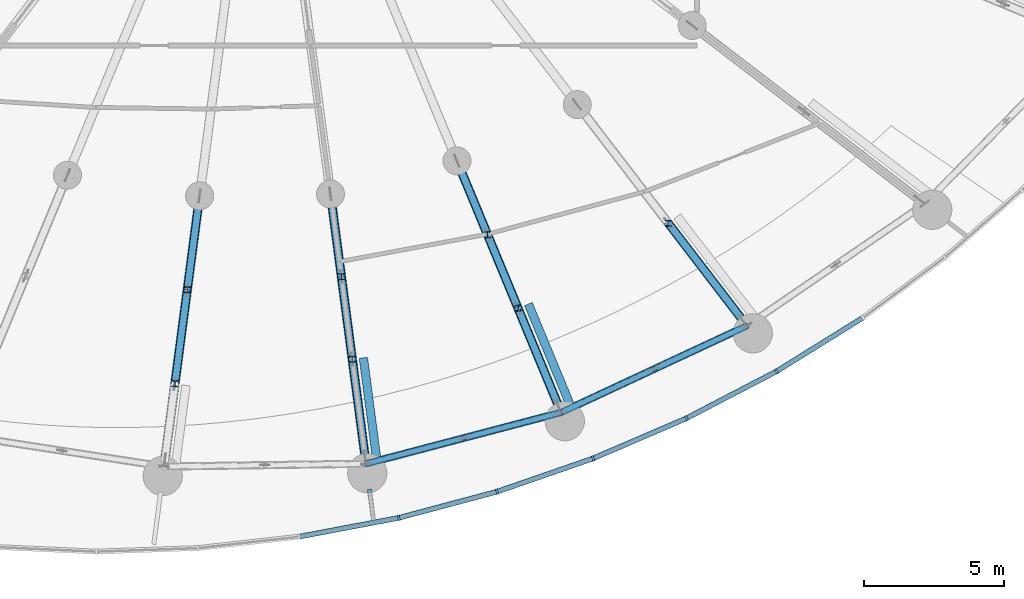
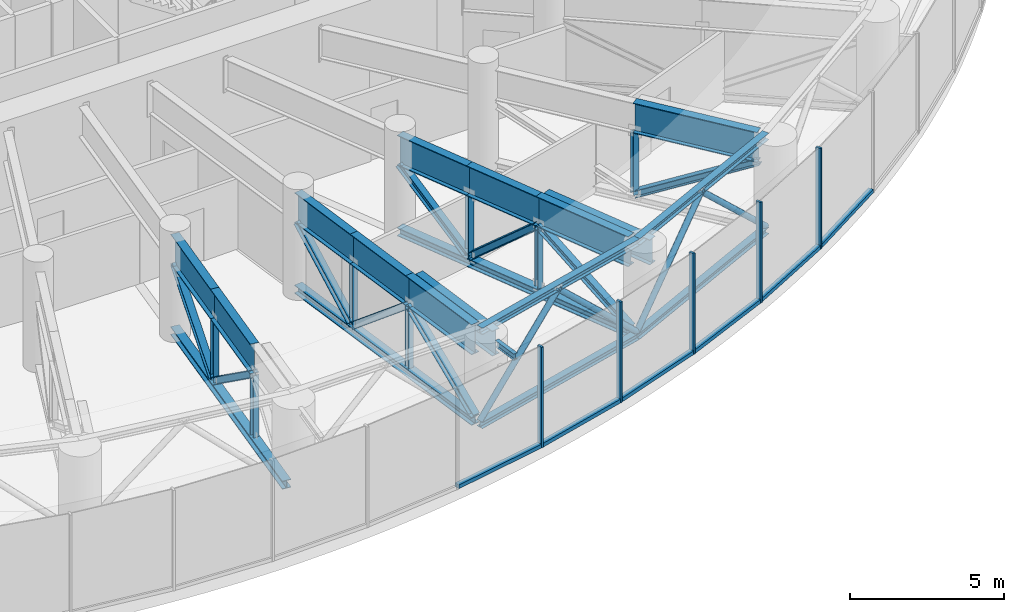
# One storey, part 6 of 42: 38 members, 12 beams, 1 element without a shape of its own.
"""IFC4 building model written with IfcOpenShell, lengths in metres."""

import ifcopenshell
import ifcopenshell.guid

model = None  # the IFC model being written
_history = None  # IfcOwnerHistory: only IFC2X3 demands one
_inside = {}  # id of a spatial element -> (the spatial element, [elements in it])
_under = {}  # id of a project, library or spatial element -> (it, [spatial elements below it])
_declared = {}  # id of a project -> (the project, [libraries it declares])
_typed = {}  # id of a type object -> (the type object, [elements of that type])
_made_of = {}  # id of a material, layer set ... -> (it, [elements and type objects made of it])


def new_model(schema):
    """Start an empty IFC model of exactly this schema.

    Asked for "IFC4X3", IfcOpenShell would pick the latest addendum, in which some entities
    have other attributes; the version numbers below select the first issue.
    IFC2X3 requires an IfcOwnerHistory on every rooted entity: one is made here for all.
    """
    global model, _history
    if schema == "IFC4X3":
        model = ifcopenshell.file(schema_version=(4, 3, 0, 0))
    else:
        model = ifcopenshell.file(schema=schema)
    _inside.clear()
    _under.clear()
    _declared.clear()
    _typed.clear()
    _made_of.clear()
    _history = None
    if model.schema == "IFC2X3":
        org = make("IfcOrganization", Name="unknown")
        user = make(
            "IfcPersonAndOrganization",
            ThePerson=make("IfcPerson", FamilyName="unknown"),
            TheOrganization=org,
        )
        app = make(
            "IfcApplication",
            ApplicationDeveloper=org,
            Version="unknown",
            ApplicationFullName="unknown",
            ApplicationIdentifier="unknown",
        )
        _history = make(
            "IfcOwnerHistory",
            OwningUser=user,
            OwningApplication=app,
            ChangeAction="ADDED",
            CreationDate=0,
        )
    return model


def make(cls, **values):
    """One entity of the class cls with the attributes given. An attribute that is None is left unset."""
    return model.create_entity(
        cls, **{name: value for name, value in values.items() if value is not None}
    )


def rooted(cls, **values):
    """An entity with a GlobalId (a new one), such as an element, a storey or a relation."""
    return make(cls, GlobalId=ifcopenshell.guid.new(), OwnerHistory=_history, **values)


def si_unit(unit_type, name, prefix=None):
    """IfcSIUnit, for example si_unit("LENGTHUNIT", "METRE", prefix="MILLI")."""
    return make("IfcSIUnit", UnitType=unit_type, Prefix=prefix, Name=name)


def assignment(units):
    """IfcUnitAssignment: the units of a project."""
    return None if units is None else make("IfcUnitAssignment", Units=units)


def point(xyz):
    """IfcCartesianPoint."""
    return None if xyz is None else make("IfcCartesianPoint", Coordinates=xyz)


def direction(xyz):
    """IfcDirection."""
    return None if xyz is None else make("IfcDirection", DirectionRatios=xyz)


def frame(location, z_axis=None, x_axis=None):
    """IfcAxis2Placement3D, a coordinate frame: its origin and axes. An axis left out is left unset."""
    return make(
        "IfcAxis2Placement3D",
        Location=point(location),
        Axis=direction(z_axis),
        RefDirection=direction(x_axis),
    )


def frame_2d(location, x_axis=None):
    """IfcAxis2Placement2D, a coordinate frame in the plane: its origin and x axis."""
    return make(
        "IfcAxis2Placement2D", Location=point(location), RefDirection=direction(x_axis)
    )


def origin():
    """The frame at (0, 0, 0) with its axes left unset."""
    return frame((0.0, 0.0, 0.0))


def origin_2d():
    """The frame at (0, 0) in the plane with its x axis left unset."""
    return frame_2d((0.0, 0.0))


def place(relative_to, where):
    """IfcLocalPlacement: puts the frame where relative to a parent placement (None: the world)."""
    return make(
        "IfcLocalPlacement", PlacementRelTo=relative_to, RelativePlacement=where
    )


def context(
    kind, dimensions, precision=None, world=None, true_north=None, identifier=None
):
    """IfcGeometricRepresentationContext, for example the 3D "Model" context."""
    return make(
        "IfcGeometricRepresentationContext",
        ContextIdentifier=identifier,
        ContextType=kind,
        CoordinateSpaceDimension=dimensions,
        Precision=precision,
        WorldCoordinateSystem=world,
        TrueNorth=true_north,
    )


def subcontext(parent, identifier, kind, view, scale=None):
    """IfcGeometricRepresentationSubContext, for example "Body" below "Model"."""
    return make(
        "IfcGeometricRepresentationSubContext",
        ContextIdentifier=identifier,
        ContextType=kind,
        ParentContext=parent,
        TargetScale=scale,
        TargetView=view,
    )


def project(units=None, contexts=None):
    """IfcProject with its units and contexts."""
    return rooted(
        "IfcProject",
        Name="project",
        RepresentationContexts=contexts,
        UnitsInContext=assignment(units),
    )


def spatial(cls, under=None, at=None, **own):
    """A site, building, storey or space (cls), placed at a placement, below another one or the project."""
    s = rooted(cls, ObjectPlacement=at, **own)
    if under is not None:
        _under.setdefault(under.id(), (under, []))[1].append(s)
    return s


def profile(cls, at=None, kind="AREA", **sizes):
    """A parametric profile (cls). Its sizes go by their IFC names, for example OverallWidth=200.0."""
    return make(cls, ProfileType=kind, Position=at, **sizes)


def rectangle(**sizes):
    """IfcRectangleProfileDef."""
    return profile("IfcRectangleProfileDef", **sizes)


def hollow_circle(**sizes):
    """IfcCircleHollowProfileDef."""
    return profile("IfcCircleHollowProfileDef", **sizes)


def i_section(**sizes):
    """IfcIShapeProfileDef."""
    return profile("IfcIShapeProfileDef", **sizes)


def extrude(swept, where, along, depth):
    """IfcExtrudedAreaSolid: the profile swept, set in the frame where, extruded along a direction by depth."""
    return make(
        "IfcExtrudedAreaSolid",
        SweptArea=swept,
        Position=where,
        ExtrudedDirection=direction(along),
        Depth=depth,
    )


def shape(context_of_items, identifier, shape_type, items):
    """IfcShapeRepresentation: the items that make up one representation, for example the "Body"."""
    return make(
        "IfcShapeRepresentation",
        ContextOfItems=context_of_items,
        RepresentationIdentifier=identifier,
        RepresentationType=shape_type,
        Items=items,
    )


def source(mapping_origin, context_of_items, identifier, shape_type, items):
    """IfcRepresentationMap: a shape defined once, which mapped items show again and again."""
    return make(
        "IfcRepresentationMap",
        MappingOrigin=mapping_origin,
        MappedRepresentation=shape(context_of_items, identifier, shape_type, items),
    )


def transform(
    local_origin,
    x_axis=None,
    y_axis=None,
    z_axis=None,
    scale=None,
    scale2=None,
    scale3=None,
    uniform=True,
):
    """IfcCartesianTransformationOperator3D, or its non-uniform kind. x_axis, y_axis, z_axis: its Axis1, 2, 3."""
    if uniform:
        return make(
            "IfcCartesianTransformationOperator3D",
            Axis1=direction(x_axis),
            Axis2=direction(y_axis),
            LocalOrigin=point(local_origin),
            Scale=scale,
            Axis3=direction(z_axis),
        )
    return make(
        "IfcCartesianTransformationOperator3DnonUniform",
        Axis1=direction(x_axis),
        Axis2=direction(y_axis),
        LocalOrigin=point(local_origin),
        Scale=scale,
        Axis3=direction(z_axis),
        Scale2=scale2,
        Scale3=scale3,
    )


def mapped(mapping_source, mapping_target):
    """IfcMappedItem: shows the shape of a source again, moved by a transform."""
    return make(
        "IfcMappedItem", MappingSource=mapping_source, MappingTarget=mapping_target
    )


def material(Name=None, Category=None):
    """IfcMaterial."""
    return make("IfcMaterial", Name=Name, Category=Category)


def layer(
    of_material, thickness, ventilated=None, Name=None, Category=None, Priority=None
):
    """IfcMaterialLayer: one layer of a wall or slab, of a material (None: an air gap)."""
    return make(
        "IfcMaterialLayer",
        Material=of_material,
        LayerThickness=thickness,
        IsVentilated=ventilated,
        Name=Name,
        Category=Category,
        Priority=Priority,
    )


def layer_set(layers, Name=None):
    """IfcMaterialLayerSet."""
    return make("IfcMaterialLayerSet", MaterialLayers=layers, LayerSetName=Name)


def material_profile(
    of_material, cross_section, Name=None, Category=None, Priority=None
):
    """IfcMaterialProfile: a cross section and its material."""
    return make(
        "IfcMaterialProfile",
        Name=Name,
        Material=of_material,
        Profile=cross_section,
        Priority=Priority,
        Category=Category,
    )


def profile_set(profiles, Name=None, composite=None):
    """IfcMaterialProfileSet."""
    return make(
        "IfcMaterialProfileSet",
        Name=Name,
        MaterialProfiles=profiles,
        CompositeProfile=composite,
    )


def made_of(thing, what):
    """Note that an element or type object is made of a material, layer set ...; save() writes the relation."""
    if what is not None:
        _made_of.setdefault(what.id(), (what, []))[1].append(thing)
    return thing


def type_object(cls, material=None, **own):
    """A type object (cls), such as IfcWallType, which elements share."""
    return made_of(rooted(cls, **own), material)


def element(
    cls,
    number,
    at=None,
    inside=None,
    cuts=None,
    type_object=None,
    material=None,
    context=None,
    identifier="Body",
    shape_type=None,
    held_by="IfcProductDefinitionShape",
    body=None,
    shapes=None,
    **own,
):
    """One element of the class cls, such as IfcWall. Its Tag is "e" and its number.

    at: its placement. inside: the storey or other place that contains it. cuts: it is an
    opening in that element (IfcRelVoidsElement). A single representation is given by context,
    identifier, shape_type and body (its items); several are given by shapes. held_by: the class
    of the entity that holds the representations. save() writes the other relations.
    """
    e = rooted(cls, Tag="e%d" % number, ObjectPlacement=at, **own)
    if body is not None:
        shapes = [shape(context, identifier, shape_type, body)]
    if shapes is not None:
        e.Representation = make(held_by, Representations=shapes)
    if inside is not None:
        _inside.setdefault(inside.id(), (inside, []))[1].append(e)
    if cuts is not None:
        rooted(
            "IfcRelVoidsElement", RelatingBuildingElement=cuts, RelatedOpeningElement=e
        )
    if type_object is not None:
        _typed.setdefault(type_object.id(), (type_object, []))[1].append(e)
    return made_of(e, material)


def aggregate(whole, parts):
    """IfcRelAggregates: a whole, such as a stair, and the parts it consists of."""
    return rooted("IfcRelAggregates", RelatingObject=whole, RelatedObjects=parts)


def save(model, path):
    """Write the relations noted so far, then the file.

    IfcRelAggregates (storeys below a building ...), IfcRelContainedInSpatialStructure (elements
    in a storey), IfcRelDefinesByType, IfcRelAssociatesMaterial and IfcRelDeclares: one each for
    every whole, place, type object, material and project.
    """
    for whole, parts in _under.values():
        aggregate(whole, parts)
    for where, things in _inside.values():
        rooted(
            "IfcRelContainedInSpatialStructure",
            RelatedElements=things,
            RelatingStructure=where,
        )
    for kind, things in _typed.values():
        rooted("IfcRelDefinesByType", RelatedObjects=things, RelatingType=kind)
    for what, things in _made_of.values():
        rooted("IfcRelAssociatesMaterial", RelatedObjects=things, RelatingMaterial=what)
    for by, libraries in _declared.values():
        rooted("IfcRelDeclares", RelatingContext=by, RelatedDefinitions=libraries)
    model.write(path)


model = new_model("IFC4")

# Units and contexts
model_context = context("Model", 3, precision=1e-05, world=origin(), true_north=direction((0.0, 1.0)))
body_context = subcontext(model_context, "Body", "Model", "MODEL_VIEW")
ifc_project = project(units=[si_unit("LENGTHUNIT", "METRE"), si_unit("AREAUNIT", "SQUARE_METRE"), si_unit("VOLUMEUNIT", "CUBIC_METRE"), si_unit("PLANEANGLEUNIT", "RADIAN"), si_unit("MASSUNIT", "GRAM", prefix="KILO")], contexts=[model_context])

# Site, building, storey
site_placement = place(None, origin())
site = spatial("IfcSite", under=ifc_project, at=site_placement, CompositionType="ELEMENT")
building_placement = place(site_placement, origin())
building = spatial("IfcBuilding", under=site, at=building_placement, Name="Spindrift Exchange Tower", CompositionType="ELEMENT")
storey_placement = place(building_placement, frame((0.0, 0.0, 75.39990234375)))
storey = spatial("IfcBuildingStorey", under=building, at=storey_placement, Name="L17", CompositionType="ELEMENT", Elevation=75.39990234375)

# Beam
ifc_material_1 = material(Name="Steel Grade 300", Category="steel")
ifc_material_profile_1 = material_profile(ifc_material_1, i_section(OverallWidth=0.14599609375, OverallDepth=0.251953125, WebThickness=0.006103515625, FlangeThickness=0.008544921875, FilletRadius=0.011962890625, at=origin_2d()), Name="250UB31.4")
ifc_profile_set_1 = profile_set([ifc_material_profile_1], Name="Steel Grade 300")
beam_type_1 = type_object("IfcBeamType", Name="Cantilever Beam 250UB31.4 Steel Grade 300", PredefinedType="BEAM", material=ifc_profile_set_1)
shared_shape_1 = source(origin(), body_context, "Body", "SweptSolid", [
    extrude(i_section(OverallWidth=0.14599609375, OverallDepth=0.251953125, WebThickness=0.006103515625, FlangeThickness=0.008544921875, FilletRadius=0.011962890625, at=origin_2d()), origin(), (0.0, 0.0, 1.0), 0.993408203125),
])
beam_1_placement = place(storey_placement, frame((55.71728515625, 19.763671875, 3.8740234375), z_axis=(0.130505373489, -0.991447601989, 0.0), x_axis=(0.991447601989, 0.130505373489, 0.0)))
element("IfcBeam", 1, at=beam_1_placement, inside=storey, type_object=beam_type_1, Name="L17 cantilever beam R19T", PredefinedType="BEAM", context=body_context, shape_type="MappedRepresentation", body=[
    mapped(shared_shape_1, transform((0.0, 0.0, 0.0), scale=1.0)),
])

# Members
ifc_material_profile_2 = material_profile(ifc_material_1, i_section(OverallWidth=0.205078125, OverallDepth=0.2099609375, WebThickness=0.00927734375, FlangeThickness=0.01416015625, FilletRadius=0.012939453125, at=origin_2d()), Name="200UC59.5")
ifc_profile_set_2 = profile_set([ifc_material_profile_2], Name="Steel Grade 300")
member_type_1 = type_object("IfcMemberType", Name="Outrigger Truss Post 200UC59.5 Steel Grade 300", PredefinedType="POST", material=ifc_profile_set_2)
shared_shape_2 = source(origin(), body_context, "Body", "SweptSolid", [
    extrude(i_section(OverallWidth=0.205078125, OverallDepth=0.2099609375, WebThickness=0.00927734375, FlangeThickness=0.01416015625, FilletRadius=0.012939453125, at=origin_2d()), origin(), (0.0, 0.0, 1.0), 2.472900390625),
])
for number, where, z_axis, x_axis, name in (
    (2, (49.21923828125, 26.8779296875, 0.3271484375), (0.0, 0.0, 1.0), (1.0, 0.0, 0.0), "L17 outrigger truss 18 post 2"),
    (3, (48.777587890625, 23.523193359375, 0.3271484375), (0.0, 0.0, 1.0), (1.0, 0.0, 0.0), "L17 outrigger truss 18 post 3"),
    (4, (54.718505859375, 27.3505859375, 0.3271484375), (0.0, 0.0, 1.0), (1.0, 0.0, 0.0), "L17 outrigger truss 19 post 2"),
    (5, (55.1064453125, 24.404541015625, 0.3271484375), (0.0, 0.0, 1.0), (1.0, 0.0, 0.0), "L17 outrigger truss 19 post 3"),
    (6, (59.931884765625, 28.85107421875, 0.3271484375), (0.0, 0.0, 1.0), (1.0, 0.0, 0.0), "L17 outrigger truss 20 post 2"),
    (7, (61.021728515625, 26.219482421875, 0.3271484375), (0.0, 0.0, 1.0), (1.0, 0.0, 0.0), "L17 outrigger truss 20 post 3"),
    (8, (66.382080078125, 29.257080078125, 0.3271484375), (0.0, 0.0, 1.0), (1.0, 0.0, 0.0), "L17 outrigger truss 21 post 2"),
):
    element("IfcMember", number, at=place(storey_placement, frame(where, z_axis=z_axis, x_axis=x_axis)), inside=storey, type_object=member_type_1, Name=name, PredefinedType="POST", context=body_context, shape_type="MappedRepresentation", body=[
        mapped(shared_shape_2, transform((0.0, 0.0, 0.0), scale=1.0)),
    ])

# Beams
ifc_material_profile_3 = material_profile(ifc_material_1, i_section(OverallWidth=0.300048828125, OverallDepth=1.199951171875, WebThickness=0.011962890625, FlangeThickness=0.028076171875, at=origin_2d()), Name="1200WB249")
ifc_profile_set_3 = profile_set([ifc_material_profile_3], Name="Steel Grade 300")
beam_type_2 = type_object("IfcBeamType", Name="Outrigger Truss Transfer Girder 1200WB249 Steel Grade 300", PredefinedType="BEAM", material=ifc_profile_set_3)
shared_shape_3 = source(origin(), body_context, "Body", "SweptSolid", [
    extrude(i_section(OverallWidth=0.300048828125, OverallDepth=1.199951171875, WebThickness=0.011962890625, FlangeThickness=0.028076171875, at=origin_2d()), origin(), (0.0, 0.0, 1.0), 3.3837890625),
])
for number, where, z_axis, x_axis, name in (
    (9, (49.660888671875, 30.232666015625, 3.400146484375), (-0.13052357024, -0.991445206561, 0.0), (0.991445206561, -0.13052357024, 0.0), "L17 outrigger truss 18 top chord 2"),
    (10, (49.21923828125, 26.8779296875, 3.400146484375), (-0.13052357024, -0.991445206561, 0.0), (0.991445206561, -0.13052357024, 0.0), "L17 outrigger truss 18 top chord 3"),
):
    element("IfcBeam", number, at=place(storey_placement, frame(where, z_axis=z_axis, x_axis=x_axis)), inside=storey, type_object=beam_type_2, Name=name, PredefinedType="BEAM", context=body_context, shape_type="MappedRepresentation", body=[
        mapped(shared_shape_3, transform((0.0, 0.0, 0.0), scale=1.0)),
    ])

# Members
ifc_material_profile_4 = material_profile(ifc_material_1, i_section(OverallWidth=0.31103515625, OverallDepth=0.326904296875, WebThickness=0.015625, FlangeThickness=0.02490234375, FilletRadius=0.0166015625, at=origin_2d()), Name="310UC158")
ifc_profile_set_4 = profile_set([ifc_material_profile_4], Name="Steel Grade 300")
member_type_2 = type_object("IfcMemberType", Name="Outrigger Truss Chord 310UC158 Steel Grade 300", PredefinedType="CHORD", material=ifc_profile_set_4)
shared_shape_4 = source(origin(), body_context, "Body", "SweptSolid", [
    extrude(i_section(OverallWidth=0.31103515625, OverallDepth=0.326904296875, WebThickness=0.015625, FlangeThickness=0.02490234375, FilletRadius=0.0166015625, at=origin_2d()), origin(), (0.0, 0.0, 1.0), 9.500244140625),
])
member_1_placement = place(storey_placement, frame((49.660888671875, 30.232666015625, 0.16357421875), z_axis=(-0.130522318331, -0.991445371373, 0.0), x_axis=(0.991445371373, -0.130522318331, 0.0)))
element("IfcMember", 11, at=member_1_placement, inside=storey, type_object=member_type_2, Name="L17 outrigger truss 18 bottom chord 2", PredefinedType="CHORD", context=body_context, shape_type="MappedRepresentation", body=[
    mapped(shared_shape_4, transform((0.0, 0.0, 0.0), scale=1.0)),
])
ifc_material_profile_5 = material_profile(ifc_material_1, i_section(OverallWidth=0.256103515625, OverallDepth=0.260009765625, WebThickness=0.010498046875, FlangeThickness=0.017333984375, FilletRadius=0.011962890625, at=origin_2d()), Name="250UC89.5")
ifc_profile_set_5 = profile_set([ifc_material_profile_5], Name="Steel Grade 300")
member_type_3 = type_object("IfcMemberType", Name="Outrigger Truss Diagonal 250UC89.5 Steel Grade 300", PredefinedType="BRACE", material=ifc_profile_set_5)
shared_shape_5 = source(origin(), body_context, "Body", "SweptSolid", [
    extrude(i_section(OverallWidth=0.256103515625, OverallDepth=0.260009765625, WebThickness=0.010498046875, FlangeThickness=0.017333984375, FilletRadius=0.011962890625, at=origin_2d()), origin(), (0.0, 0.0, 1.0), 4.19091796875),
])
for number, where, z_axis, x_axis, name in (
    (12, (49.660888671875, 30.232666015625, 2.800048828125), (-0.105380471924, -0.800460511167, -0.590049087957), (0.991445206561, -0.13052357024, 0.0), "L17 outrigger truss 18 diagonal 2"),
    (13, (49.21923828125, 26.8779296875, 0.3271484375), (-0.105380471924, -0.800460511167, 0.590049087957), (0.991445206561, -0.13052357024, 0.0), "L17 outrigger truss 18 diagonal 3"),
):
    element("IfcMember", number, at=place(storey_placement, frame(where, z_axis=z_axis, x_axis=x_axis)), inside=storey, type_object=member_type_3, Name=name, PredefinedType="BRACE", context=body_context, shape_type="MappedRepresentation", body=[
        mapped(shared_shape_5, transform((0.0, 0.0, 0.0), scale=1.0)),
    ])

# Beam
shared_shape_6 = source(origin(), body_context, "Body", "SweptSolid", [
    extrude(i_section(OverallWidth=0.300048828125, OverallDepth=1.199951171875, WebThickness=0.011962890625, FlangeThickness=0.028076171875, at=origin_2d()), origin(), (0.0, 0.0, 1.0), 2.9716796875),
])
beam_2_placement = place(storey_placement, frame((54.330810546875, 30.296875, 3.400146484375), z_axis=(0.130463013345, -0.991453176983, 0.0), x_axis=(0.991453176983, 0.130463013345, 0.0)))
element("IfcBeam", 14, at=beam_2_placement, inside=storey, type_object=beam_type_2, Name="L17 outrigger truss 19 top chord 2", PredefinedType="BEAM", context=body_context, shape_type="MappedRepresentation", body=[
    mapped(shared_shape_6, transform((0.0, 0.0, 0.0), scale=1.0)),
])

# Members
shared_shape_7 = source(origin(), body_context, "Body", "SweptSolid", [
    extrude(i_section(OverallWidth=0.31103515625, OverallDepth=0.326904296875, WebThickness=0.015625, FlangeThickness=0.02490234375, FilletRadius=0.0166015625, at=origin_2d()), origin(), (0.0, 0.0, 1.0), 9.464111328125),
])
member_2_placement = place(storey_placement, frame((54.330810546875, 30.296875, 0.16357421875), z_axis=(0.130505895221, -0.991447533313, 0.0), x_axis=(0.991447533313, 0.130505895221, 0.0)))
element("IfcMember", 15, at=member_2_placement, inside=storey, type_object=member_type_2, Name="L17 outrigger truss 19 bottom chord 2", PredefinedType="CHORD", context=body_context, shape_type="MappedRepresentation", body=[
    mapped(shared_shape_7, transform((0.0, 0.0, 0.0), scale=1.0)),
])
shared_shape_8 = source(origin(), body_context, "Body", "SweptSolid", [
    extrude(i_section(OverallWidth=0.256103515625, OverallDepth=0.260009765625, WebThickness=0.010498046875, FlangeThickness=0.017333984375, FilletRadius=0.011962890625, at=origin_2d()), origin(), (0.0, 0.0, 1.0), 3.865966796875),
])
for number, where, z_axis, x_axis, name in (
    (16, (54.330810546875, 30.296875, 2.800048828125), (0.100282624077, -0.762097422772, -0.63964905496), (0.991453176983, 0.130463013345, 0.0), "L17 outrigger truss 19 diagonal 2"),
    (17, (54.718505859375, 27.3505859375, 0.3271484375), (0.100349968036, -0.762066119757, 0.639675787438), (0.99144114693, 0.130554403122, 0.0), "L17 outrigger truss 19 diagonal 3"),
):
    element("IfcMember", number, at=place(storey_placement, frame(where, z_axis=z_axis, x_axis=x_axis)), inside=storey, type_object=member_type_3, Name=name, PredefinedType="BRACE", context=body_context, shape_type="MappedRepresentation", body=[
        mapped(shared_shape_8, transform((0.0, 0.0, 0.0), scale=1.0)),
    ])

# Beams
shared_shape_9 = source(origin(), body_context, "Body", "SweptSolid", [
    extrude(i_section(OverallWidth=0.300048828125, OverallDepth=1.199951171875, WebThickness=0.011962890625, FlangeThickness=0.028076171875, at=origin_2d()), origin(), (0.0, 0.0, 1.0), 2.971435546875),
])
beam_3_placement = place(storey_placement, frame((54.718505859375, 27.3505859375, 3.400146484375), z_axis=(0.130554403122, -0.99144114693, 0.0), x_axis=(0.99144114693, 0.130554403122, 0.0)))
element("IfcBeam", 18, at=beam_3_placement, inside=storey, type_object=beam_type_2, Name="L17 outrigger truss 19 top chord 3", PredefinedType="BEAM", context=body_context, shape_type="MappedRepresentation", body=[
    mapped(shared_shape_9, transform((0.0, 0.0, 0.0), scale=1.0)),
])
shared_shape_10 = source(origin(), body_context, "Body", "SweptSolid", [
    extrude(i_section(OverallWidth=0.300048828125, OverallDepth=1.199951171875, WebThickness=0.011962890625, FlangeThickness=0.028076171875, at=origin_2d()), origin(), (0.0, 0.0, 1.0), 3.520751953125),
])
beam_4_placement = place(storey_placement, frame((55.1064453125, 24.404541015625, 3.400146484375), z_axis=(0.130501149348, -0.991448158009, 0.0), x_axis=(0.991448158009, 0.130501149348, 0.0)))
element("IfcBeam", 19, at=beam_4_placement, inside=storey, type_object=beam_type_2, Name="L17 outrigger truss 19 top chord 4", PredefinedType="BEAM", context=body_context, shape_type="MappedRepresentation", body=[
    mapped(shared_shape_10, transform((0.0, 0.0, 0.0), scale=1.0)),
])

# Member
shared_shape_11 = source(origin(), body_context, "Body", "SweptSolid", [
    extrude(i_section(OverallWidth=0.256103515625, OverallDepth=0.260009765625, WebThickness=0.010498046875, FlangeThickness=0.017333984375, FilletRadius=0.011962890625, at=origin_2d()), origin(), (0.0, 0.0, 1.0), 4.302490234375),
])
member_3_placement = place(storey_placement, frame((55.1064453125, 24.404541015625, 2.800048828125), z_axis=(0.106792046923, -0.811324488259, -0.574759109076), x_axis=(0.991448158009, 0.130501149348, 0.0)))
element("IfcMember", 20, at=member_3_placement, inside=storey, type_object=member_type_3, Name="L17 outrigger truss 19 diagonal 4", PredefinedType="BRACE", context=body_context, shape_type="MappedRepresentation", body=[
    mapped(shared_shape_11, transform((0.0, 0.0, 0.0), scale=1.0)),
])

# Beam
shared_shape_12 = source(origin(), body_context, "Body", "SweptSolid", [
    extrude(i_section(OverallWidth=0.300048828125, OverallDepth=1.199951171875, WebThickness=0.011962890625, FlangeThickness=0.028076171875, at=origin_2d()), origin(), (0.0, 0.0, 1.0), 2.84814453125),
])
beam_5_placement = place(storey_placement, frame((58.841796875, 31.482421875, 3.400146484375), z_axis=(0.382727785933, -0.923861159415, 0.0), x_axis=(0.923861159415, 0.382727785933, 0.0)))
element("IfcBeam", 21, at=beam_5_placement, inside=storey, type_object=beam_type_2, Name="L17 outrigger truss 20 top chord 2", PredefinedType="BEAM", context=body_context, shape_type="MappedRepresentation", body=[
    mapped(shared_shape_12, transform((0.0, 0.0, 0.0), scale=1.0)),
])

# Members
shared_shape_13 = source(origin(), body_context, "Body", "SweptSolid", [
    extrude(i_section(OverallWidth=0.31103515625, OverallDepth=0.326904296875, WebThickness=0.015625, FlangeThickness=0.02490234375, FilletRadius=0.0166015625, at=origin_2d()), origin(), (0.0, 0.0, 1.0), 9.4765625),
])
member_4_placement = place(storey_placement, frame((58.841796875, 31.482421875, 0.16357421875), z_axis=(0.38268095717, -0.923880557767, 0.0), x_axis=(0.923880557767, 0.38268095717, 0.0)))
element("IfcMember", 22, at=member_4_placement, inside=storey, type_object=member_type_2, Name="L17 outrigger truss 20 bottom chord 2", PredefinedType="CHORD", context=body_context, shape_type="MappedRepresentation", body=[
    mapped(shared_shape_13, transform((0.0, 0.0, 0.0), scale=1.0)),
])
shared_shape_14 = source(origin(), body_context, "Body", "SweptSolid", [
    extrude(i_section(OverallWidth=0.256103515625, OverallDepth=0.260009765625, WebThickness=0.010498046875, FlangeThickness=0.017333984375, FilletRadius=0.011962890625, at=origin_2d()), origin(), (0.0, 0.0, 1.0), 3.77197265625),
])
for number, where, z_axis, x_axis, name in (
    (23, (58.841796875, 31.482421875, 2.800048828125), (0.288999397059, -0.697611534492, -0.655604679242), (0.923861159415, 0.382727785933, 0.0), "L17 outrigger truss 20 diagonal 2"),
    (24, (59.931884765625, 28.85107421875, 0.3271484375), (0.288927029006, -0.697657805927, 0.655587337994), (0.923904016107, 0.382624318388, 0.0), "L17 outrigger truss 20 diagonal 3"),
):
    element("IfcMember", number, at=place(storey_placement, frame(where, z_axis=z_axis, x_axis=x_axis)), inside=storey, type_object=member_type_3, Name=name, PredefinedType="BRACE", context=body_context, shape_type="MappedRepresentation", body=[
        mapped(shared_shape_14, transform((0.0, 0.0, 0.0), scale=1.0)),
    ])

# Beams
shared_shape_15 = source(origin(), body_context, "Body", "SweptSolid", [
    extrude(i_section(OverallWidth=0.300048828125, OverallDepth=1.199951171875, WebThickness=0.011962890625, FlangeThickness=0.028076171875, at=origin_2d()), origin(), (0.0, 0.0, 1.0), 2.848388671875),
])
beam_6_placement = place(storey_placement, frame((59.931884765625, 28.85107421875, 3.400146484375), z_axis=(0.382624318388, -0.923904016107, 0.0), x_axis=(0.923904016107, 0.382624318388, 0.0)))
element("IfcBeam", 25, at=beam_6_placement, inside=storey, type_object=beam_type_2, Name="L17 outrigger truss 20 top chord 3", PredefinedType="BEAM", context=body_context, shape_type="MappedRepresentation", body=[
    mapped(shared_shape_15, transform((0.0, 0.0, 0.0), scale=1.0)),
])
shared_shape_16 = source(origin(), body_context, "Body", "SweptSolid", [
    extrude(i_section(OverallWidth=0.300048828125, OverallDepth=1.199951171875, WebThickness=0.011962890625, FlangeThickness=0.028076171875, at=origin_2d()), origin(), (0.0, 0.0, 1.0), 3.780029296875),
])
beam_7_placement = place(storey_placement, frame((61.021728515625, 26.219482421875, 3.400146484375), z_axis=(0.382688350161, -0.923877495478, 0.0), x_axis=(0.923877495478, 0.382688350161, 0.0)))
element("IfcBeam", 26, at=beam_7_placement, inside=storey, type_object=beam_type_2, Name="L17 outrigger truss 20 top chord 4", PredefinedType="BEAM", context=body_context, shape_type="MappedRepresentation", body=[
    mapped(shared_shape_16, transform((0.0, 0.0, 0.0), scale=1.0)),
])

# Member
shared_shape_17 = source(origin(), body_context, "Body", "SweptSolid", [
    extrude(i_section(OverallWidth=0.256103515625, OverallDepth=0.260009765625, WebThickness=0.010498046875, FlangeThickness=0.017333984375, FilletRadius=0.011962890625, at=origin_2d()), origin(), (0.0, 0.0, 1.0), 4.51708984375),
])
member_5_placement = place(storey_placement, frame((61.021728515625, 26.219482421875, 2.800048828125), z_axis=(0.320243752659, -0.773125170976, -0.547468180706), x_axis=(0.923877495478, 0.382688350161, 0.0)))
element("IfcMember", 27, at=member_5_placement, inside=storey, type_object=member_type_3, Name="L17 outrigger truss 20 diagonal 4", PredefinedType="BRACE", context=body_context, shape_type="MappedRepresentation", body=[
    mapped(shared_shape_17, transform((0.0, 0.0, 0.0), scale=1.0)),
])

# Beam
shared_shape_18 = source(origin(), body_context, "Body", "SweptSolid", [
    extrude(i_section(OverallWidth=0.300048828125, OverallDepth=1.199951171875, WebThickness=0.011962890625, FlangeThickness=0.028076171875, at=origin_2d()), origin(), (0.0, 0.0, 1.0), 4.3720703125),
])
beam_8_placement = place(storey_placement, frame((66.382080078125, 29.257080078125, 3.400146484375), z_axis=(0.608719890224, -0.793385212394, 0.0), x_axis=(0.793385212394, 0.608719890224, 0.0)))
element("IfcBeam", 28, at=beam_8_placement, inside=storey, type_object=beam_type_2, Name="L17 outrigger truss 21 top chord 3", PredefinedType="BEAM", context=body_context, shape_type="MappedRepresentation", body=[
    mapped(shared_shape_18, transform((0.0, 0.0, 0.0), scale=1.0)),
])

# Members
shared_shape_19 = source(origin(), body_context, "Body", "SweptSolid", [
    extrude(i_section(OverallWidth=0.256103515625, OverallDepth=0.260009765625, WebThickness=0.010498046875, FlangeThickness=0.017333984375, FilletRadius=0.011962890625, at=origin_2d()), origin(), (0.0, 0.0, 1.0), 5.02294921875),
])
member_6_placement = place(storey_placement, frame((66.382080078125, 29.257080078125, 0.3271484375), z_axis=(0.529839592695, -0.690575262178, 0.492316781433), x_axis=(0.793385212394, 0.608719890224, 0.0)))
element("IfcMember", 29, at=member_6_placement, inside=storey, type_object=member_type_3, Name="L17 outrigger truss 21 diagonal 3", PredefinedType="BRACE", context=body_context, shape_type="MappedRepresentation", body=[
    mapped(shared_shape_19, transform((0.0, 0.0, 0.0), scale=1.0)),
])
ifc_material_profile_6 = material_profile(ifc_material_1, i_section(OverallWidth=0.256103515625, OverallDepth=0.260009765625, WebThickness=0.010498046875, FlangeThickness=0.017333984375, FilletRadius=0.011962890625, at=origin_2d()), Name="250UC89.5")
ifc_profile_set_6 = profile_set([ifc_material_profile_6], Name="Steel Grade 300")
member_type_4 = type_object("IfcMemberType", Name="Belt Truss Chord 250UC89.5 Steel Grade 300", PredefinedType="CHORD", material=ifc_profile_set_6)
shared_shape_20 = source(origin(), body_context, "Body", "SweptSolid", [
    extrude(i_section(OverallWidth=0.256103515625, OverallDepth=0.260009765625, WebThickness=0.010498046875, FlangeThickness=0.017333984375, FilletRadius=0.011962890625, at=origin_2d()), origin(), (0.0, 0.0, 1.0), 7.19921875),
])
for number, where, z_axis, x_axis, name in (
    (30, (55.597412109375, 20.67578125, 3.8701171875), (0.967160140139, 0.254167785776, 0.0), (-0.254167785776, 0.967160140139, 0.0), "L17 belt truss 19 top chord"),
    (31, (55.597412109375, 20.67578125, 0.130126953125), (0.967160140139, 0.254167785776, 0.0), (-0.254167785776, 0.967160140139, 0.0), "L17 belt truss 19 bottom chord"),
):
    element("IfcMember", number, at=place(storey_placement, frame(where, z_axis=z_axis, x_axis=x_axis)), inside=storey, type_object=member_type_4, Name=name, PredefinedType="CHORD", context=body_context, shape_type="MappedRepresentation", body=[
        mapped(shared_shape_20, transform((0.0, 0.0, 0.0), scale=1.0)),
    ])
ifc_material_2 = material(Name="Steel Grade 350", Category="steel")
ifc_material_profile_7 = material_profile(ifc_material_2, hollow_circle(Radius=0.109619140625, WallThickness=0.00830078125, at=origin_2d()), Name="219.1x8.2CHS")
ifc_profile_set_7 = profile_set([ifc_material_profile_7], Name="Steel Grade 350")
member_type_5 = type_object("IfcMemberType", Name="Belt Truss Diagonal 219.1x8.2CHS Steel Grade 350", PredefinedType="BRACE", material=ifc_profile_set_7)
shared_shape_21 = source(origin(), body_context, "Body", "SweptSolid", [
    extrude(hollow_circle(Radius=0.109619140625, WallThickness=0.00830078125, at=origin_2d()), origin(), (0.0, 0.0, 1.0), 5.0068359375),
])
for number, where, z_axis, x_axis, name in (
    (32, (55.597412109375, 20.67578125, 0.260009765625), (0.695343731494, 0.182759348221, 0.695051160499), (-0.254199506277, 0.967151803498, 0.0), "L17 belt truss 19 diagonal 1"),
    (33, (59.078857421875, 21.5908203125, 3.739990234375), (0.695349927431, 0.182712214452, -0.695057353829), (-0.254136064456, 0.967168475884, 0.0), "L17 belt truss 19 diagonal 2"),
):
    element("IfcMember", number, at=place(storey_placement, frame(where, z_axis=z_axis, x_axis=x_axis)), inside=storey, type_object=member_type_5, Name=name, PredefinedType="BRACE", context=body_context, shape_type="MappedRepresentation", body=[
        mapped(shared_shape_21, transform((0.0, 0.0, 0.0), scale=1.0)),
    ])
shared_shape_22 = source(origin(), body_context, "Body", "SweptSolid", [
    extrude(i_section(OverallWidth=0.256103515625, OverallDepth=0.260009765625, WebThickness=0.010498046875, FlangeThickness=0.017333984375, FilletRadius=0.011962890625, at=origin_2d()), origin(), (0.0, 0.0, 1.0), 7.315185546875),
])
for number, where, z_axis, x_axis, name in (
    (34, (62.560302734375, 22.505615234375, 3.8701171875), (0.906258158032, 0.422724675173, 0.0), (-0.422724675173, 0.906258158032, 0.0), "L17 belt truss 20 top chord"),
    (35, (62.560302734375, 22.505615234375, 0.130126953125), (0.906258158032, 0.422724675173, 0.0), (-0.422724675173, 0.906258158032, 0.0), "L17 belt truss 20 bottom chord"),
):
    element("IfcMember", number, at=place(storey_placement, frame(where, z_axis=z_axis, x_axis=x_axis)), inside=storey, type_object=member_type_4, Name=name, PredefinedType="CHORD", context=body_context, shape_type="MappedRepresentation", body=[
        mapped(shared_shape_22, transform((0.0, 0.0, 0.0), scale=1.0)),
    ])
shared_shape_23 = source(origin(), body_context, "Body", "SweptSolid", [
    extrude(hollow_circle(Radius=0.109619140625, WallThickness=0.00830078125, at=origin_2d()), origin(), (0.0, 0.0, 1.0), 5.048583984375),
])
for number, where, z_axis, x_axis, name in (
    (36, (62.560302734375, 22.505615234375, 0.260009765625), (0.656561873105, 0.306253689502, 0.689300503737), (-0.422724675173, 0.906258158032, 0.0), "L17 belt truss 20 diagonal 1"),
    (37, (65.875, 24.0517578125, 3.739990234375), (0.656561873105, 0.306253689502, -0.689300503737), (-0.422724675173, 0.906258158032, 0.0), "L17 belt truss 20 diagonal 2"),
):
    element("IfcMember", number, at=place(storey_placement, frame(where, z_axis=z_axis, x_axis=x_axis)), inside=storey, type_object=member_type_5, Name=name, PredefinedType="BRACE", context=body_context, shape_type="MappedRepresentation", body=[
        mapped(shared_shape_23, transform((0.0, 0.0, 0.0), scale=1.0)),
    ])

# Beams
ifc_material_profile_8 = material_profile(ifc_material_1, i_section(OverallWidth=0.300048828125, OverallDepth=1.0, WebThickness=0.010009765625, FlangeThickness=0.02001953125, at=origin_2d()), Name="1000WB215")
ifc_profile_set_8 = profile_set([ifc_material_profile_8], Name="Steel Grade 300")
beam_type_3 = type_object("IfcBeamType", Name="Transfer Tie Beam 1000WB215 Steel Grade 300", PredefinedType="BEAM", material=ifc_profile_set_8)
shared_shape_24 = source(origin(), body_context, "Body", "SweptSolid", [
    extrude(i_section(OverallWidth=0.300048828125, OverallDepth=1.0, WebThickness=0.010009765625, FlangeThickness=0.02001953125, at=origin_2d()), origin(), (0.0, 0.0, 1.0), 4.10107421875),
])
beam_9_placement = place(storey_placement, frame((56.038330078125, 20.390869140625, 3.400146484375), z_axis=(-0.130553069552, 0.991441322535, 0.0), x_axis=(-0.991441322535, -0.130553069552, 0.0)))
element("IfcBeam", 38, at=beam_9_placement, inside=storey, type_object=beam_type_3, Name="L17 transfer tie beam K19", PredefinedType="BEAM", context=body_context, shape_type="MappedRepresentation", body=[
    mapped(shared_shape_24, transform((0.0, 0.0, 0.0), scale=1.0)),
])
shared_shape_25 = source(origin(), body_context, "Body", "SweptSolid", [
    extrude(i_section(OverallWidth=0.300048828125, OverallDepth=1.0, WebThickness=0.010009765625, FlangeThickness=0.02001953125, at=origin_2d()), origin(), (0.0, 0.0, 1.0), 4.35986328125),
])
beam_10_placement = place(storey_placement, frame((63.059814453125, 22.344482421875, 3.400146484375), z_axis=(-0.382678195587, 0.923881701638, 0.0), x_axis=(-0.923881701638, -0.382678195587, 0.0)))
element("IfcBeam", 39, at=beam_10_placement, inside=storey, type_object=beam_type_3, Name="L17 transfer tie beam K20", PredefinedType="BEAM", context=body_context, shape_type="MappedRepresentation", body=[
    mapped(shared_shape_25, transform((0.0, 0.0, 0.0), scale=1.0)),
])

# Curtain wall, members
ifc_material_3 = material(Name="Fritted laminated glass with bronze frame", Category="glass")
ifc_layer = layer(ifc_material_3, 0.199951171875)
ifc_layer_set = layer_set([ifc_layer], Name="ZONE 1 BRONZE FRITTED WALL")
curtain_wall_type = type_object("IfcCurtainWallType", Name="ZONE 1 BRONZE FRITTED WALL", PredefinedType="NOTDEFINED", material=ifc_layer_set)
curtain_wall_placement = place(storey_placement, origin())
curtain_wall = element("IfcCurtainWall", 40, at=curtain_wall_placement, inside=storey, type_object=curtain_wall_type, Name="L17 Zone 1 Bronze Fritted Wall run 8", PredefinedType="NOTDEFINED")
ifc_material_4 = material(Name="Bronze anodised aluminium", Category="aluminium")
ifc_material_profile_9 = material_profile(ifc_material_4, rectangle(XDim=0.179931640625, YDim=0.14990234375, at=origin_2d()), Name="ZONE 1 BRONZE FRITTED WALL TRANSOM 180X150")
ifc_profile_set_9 = profile_set([ifc_material_profile_9], Name="Bronze anodised aluminium")
member_type_6 = type_object("IfcMemberType", Name="ZONE 1 BRONZE FRITTED WALL TRANSOM 180X150", PredefinedType="USERDEFINED", material=ifc_profile_set_9)
shared_shape_26 = source(origin(), body_context, "Body", "SweptSolid", [
    extrude(rectangle(XDim=0.179931640625, YDim=0.14990234375, at=origin_2d()), origin(), (0.0, 0.0, 1.0), 3.54736328125),
])
member_7_placement = place(storey_placement, frame((53.24267578125, 18.078125, 0.0751953125), z_axis=(0.982608617018, 0.185688733537, 0.0), x_axis=(-0.185688733537, 0.982608617018, 0.0)))
member_7 = element("IfcMember", 41, at=member_7_placement, type_object=member_type_6, Name="L17 transom CW-1.43", ObjectType="TRANSOM", PredefinedType="USERDEFINED", context=body_context, shape_type="MappedRepresentation", body=[
    mapped(shared_shape_26, transform((0.0, 0.0, 0.0), scale=1.0)),
])
member_8_placement = place(storey_placement, frame((56.80615234375, 18.754638671875, 0.0751953125), z_axis=(0.966325119551, 0.257324237732, 0.0), x_axis=(-0.257324237732, 0.966325119551, 0.0)))
member_8 = element("IfcMember", 42, at=member_8_placement, type_object=member_type_6, Name="L17 transom CW-1.44", ObjectType="TRANSOM", PredefinedType="USERDEFINED", context=body_context, shape_type="MappedRepresentation", body=[
    mapped(shared_shape_26, transform((0.0, 0.0, 0.0), scale=1.0)),
])
member_9_placement = place(storey_placement, frame((63.737548828125, 20.8798828125, 0.0751953125), z_axis=(0.918635217546, 0.39510674138, 0.0), x_axis=(-0.39510674138, 0.918635217546, 0.0)))
member_9 = element("IfcMember", 43, at=member_9_placement, type_object=member_type_6, Name="L17 transom CW-1.46", ObjectType="TRANSOM", PredefinedType="USERDEFINED", context=body_context, shape_type="MappedRepresentation", body=[
    mapped(shared_shape_26, transform((0.0, 0.0, 0.0), scale=1.0)),
])
member_10_placement = place(storey_placement, frame((70.283935546875, 23.994384765625, 0.0751953125), z_axis=(0.849279487223, 0.527943512681, 0.0), x_axis=(-0.527943512681, 0.849279487223, 0.0)))
member_10 = element("IfcMember", 44, at=member_10_placement, type_object=member_type_6, Name="L17 transom CW-1.48", ObjectType="TRANSOM", PredefinedType="USERDEFINED", context=body_context, shape_type="MappedRepresentation", body=[
    mapped(shared_shape_26, transform((0.0, 0.0, 0.0), scale=1.0)),
])
shared_shape_27 = source(origin(), body_context, "Body", "SweptSolid", [
    extrude(rectangle(XDim=0.179931640625, YDim=0.14990234375, at=origin_2d()), origin(), (0.0, 0.0, 1.0), 3.547607421875),
])
member_11_placement = place(storey_placement, frame((60.310546875, 19.69091796875, 0.0751953125), z_axis=(0.945036790719, 0.326964010538, 0.0), x_axis=(-0.326964010538, 0.945036790719, 0.0)))
member_11 = element("IfcMember", 45, at=member_11_placement, type_object=member_type_6, Name="L17 transom CW-1.45", ObjectType="TRANSOM", PredefinedType="USERDEFINED", context=body_context, shape_type="MappedRepresentation", body=[
    mapped(shared_shape_27, transform((0.0, 0.0, 0.0), scale=1.0)),
])
member_12_placement = place(storey_placement, frame((67.068359375, 22.315673828125, 0.0751953125), z_axis=(0.886857101127, 0.462043809806, 0.0), x_axis=(-0.462043809806, 0.886857101127, 0.0)))
member_12 = element("IfcMember", 46, at=member_12_placement, type_object=member_type_6, Name="L17 transom CW-1.47", ObjectType="TRANSOM", PredefinedType="USERDEFINED", context=body_context, shape_type="MappedRepresentation", body=[
    mapped(shared_shape_27, transform((0.0, 0.0, 0.0), scale=1.0)),
])
ifc_material_profile_10 = material_profile(ifc_material_4, rectangle(XDim=0.080078125, YDim=0.199951171875, at=origin_2d()), Name="ZONE 1 BRONZE FRITTED WALL MULLION 80X200")
ifc_profile_set_10 = profile_set([ifc_material_profile_10], Name="Bronze anodised aluminium")
member_type_7 = type_object("IfcMemberType", Name="ZONE 1 BRONZE FRITTED WALL MULLION 80X200", PredefinedType="MULLION", material=ifc_profile_set_10)
shared_shape_28 = source(origin(), body_context, "Body", "SweptSolid", [
    extrude(rectangle(XDim=0.080078125, YDim=0.199951171875, at=origin_2d()), origin(), (0.0, 0.0, 1.0), 4.0),
])
member_13_placement = place(storey_placement, frame((56.767578125, 18.744384765625, 0.0), z_axis=(0.0, 0.0, 1.0), x_axis=(0.975118044994, 0.221686261024, 0.0)))
member_13 = element("IfcMember", 47, at=member_13_placement, type_object=member_type_7, Name="L17 mullion CW-1.44", PredefinedType="MULLION", context=body_context, shape_type="MappedRepresentation", body=[
    mapped(shared_shape_28, transform((0.0, 0.0, 0.0), scale=1.0)),
])
member_14_placement = place(storey_placement, frame((60.272705078125, 19.677734375, 0.0), z_axis=(0.0, 0.0, 1.0), x_axis=(0.956304527952, 0.292372450512, 0.0)))
member_14 = element("IfcMember", 48, at=member_14_placement, type_object=member_type_7, Name="L17 mullion CW-1.45", PredefinedType="MULLION", context=body_context, shape_type="MappedRepresentation", body=[
    mapped(shared_shape_28, transform((0.0, 0.0, 0.0), scale=1.0)),
])
member_15_placement = place(storey_placement, frame((63.70068359375, 20.864013671875, 0.0), z_axis=(0.0, 0.0, 1.0), x_axis=(0.932444979106, 0.361311999442, 0.0)))
member_15 = element("IfcMember", 49, at=member_15_placement, type_object=member_type_7, Name="L17 mullion CW-1.46", PredefinedType="MULLION", context=body_context, shape_type="MappedRepresentation", body=[
    mapped(shared_shape_28, transform((0.0, 0.0, 0.0), scale=1.0)),
])
member_16_placement = place(storey_placement, frame((67.032958984375, 22.29736328125, 0.0), z_axis=(0.0, 0.0, 1.0), x_axis=(0.903366706384, 0.428868970429, 0.0)))
member_16 = element("IfcMember", 50, at=member_16_placement, type_object=member_type_7, Name="L17 mullion CW-1.47", PredefinedType="MULLION", context=body_context, shape_type="MappedRepresentation", body=[
    mapped(shared_shape_28, transform((0.0, 0.0, 0.0), scale=1.0)),
])
member_17_placement = place(storey_placement, frame((70.25, 23.97314453125, 0.0), z_axis=(0.0, 0.0, 1.0), x_axis=(0.868686661542, 0.495361972762, 0.0)))
member_17 = element("IfcMember", 51, at=member_17_placement, type_object=member_type_7, Name="L17 mullion CW-1.48", PredefinedType="MULLION", context=body_context, shape_type="MappedRepresentation", body=[
    mapped(shared_shape_28, transform((0.0, 0.0, 0.0), scale=1.0)),
])
aggregate(curtain_wall, [member_7, member_13, member_8, member_14, member_11, member_15, member_9, member_16, member_12, member_17, member_10])

save(model, "model.ifc")
